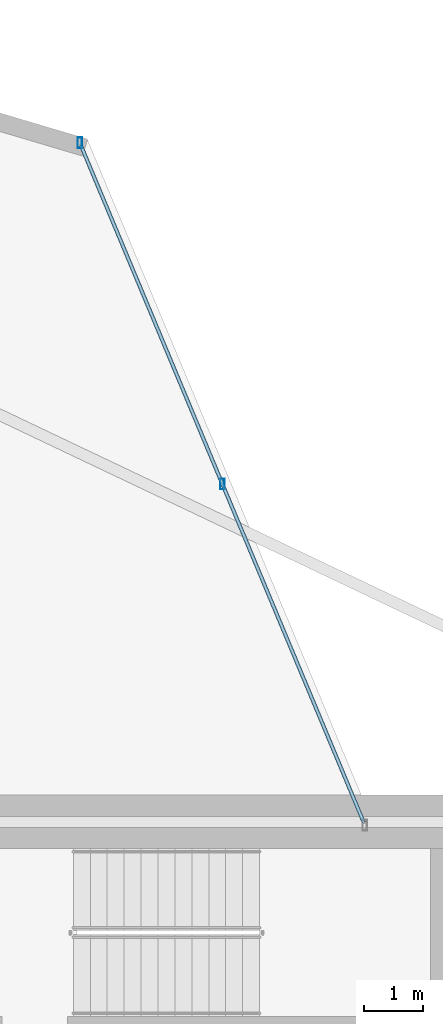
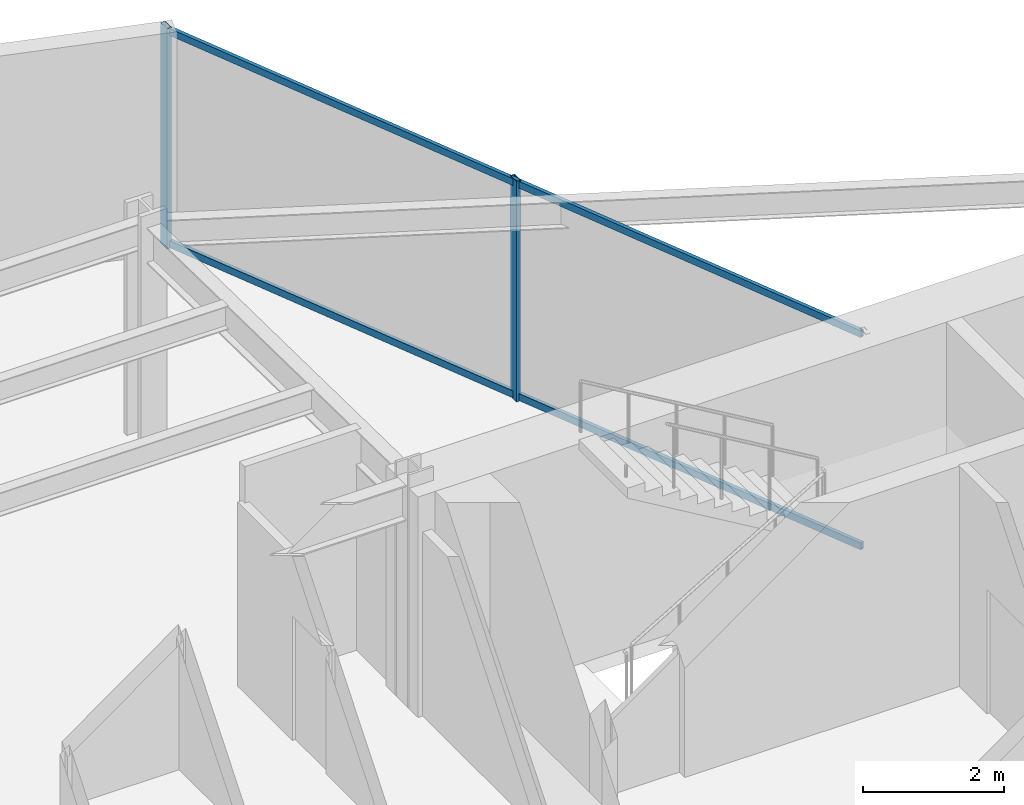
# One storey, part 18 of 24: 4 members, 1 element without a shape of its own.
"""IFC4 building model written with IfcOpenShell, lengths in metres."""

from ifc_helpers import new_model, si_unit, direction, frame, origin, origin_2d, place, context, subcontext, project, spatial, hollow_rectangle, extrude, material, layer, layer_set, material_profile, profile_set, type_object, element, aggregate, save


model = new_model("IFC4")

# Units and contexts
model_context = context("Model", 3, precision=1e-05, world=origin(), true_north=direction((0.0, 1.0)))
body_context = subcontext(model_context, "Body", "Model", "MODEL_VIEW")
ifc_project = project(units=[si_unit("LENGTHUNIT", "METRE"), si_unit("AREAUNIT", "SQUARE_METRE"), si_unit("VOLUMEUNIT", "CUBIC_METRE"), si_unit("PLANEANGLEUNIT", "RADIAN"), si_unit("MASSUNIT", "GRAM", prefix="KILO")], contexts=[model_context])

# Site, building, storey
site_placement = place(None, origin())
site = spatial("IfcSite", under=ifc_project, at=site_placement, CompositionType="ELEMENT")
building_placement = place(site_placement, origin())
building = spatial("IfcBuilding", under=site, at=building_placement, Name="Veymaron Broadcast Tower", CompositionType="ELEMENT")
storey_placement = place(building_placement, frame((0.0, 0.0, 78.300048828125)))
storey = spatial("IfcBuildingStorey", under=building, at=storey_placement, Name="L17", CompositionType="ELEMENT", Elevation=78.300048828125)

# Curtain wall, members
ifc_material_1 = material(Name="Anodised aluminium AA 6063-T6 and laminated low-E dark glass", Category="aluminium")
ifc_layer = layer(ifc_material_1, 0.179931640625)
ifc_layer_set = layer_set([ifc_layer], Name="Anodised aluminium AA 6063-T6 and laminated low-E dark glass")
curtain_wall_type = type_object("IfcCurtainWallType", Name="CW-SYS-02", PredefinedType="NOTDEFINED", material=ifc_layer_set)
curtain_wall_placement = place(storey_placement, origin())
curtain_wall = element("IfcCurtainWall", 1, at=curtain_wall_placement, inside=storey, type_object=curtain_wall_type, Name="L17 dark-glass curtain wall CW-L17-E5-1", PredefinedType="NOTDEFINED")
ifc_material_2 = material(Name="Anodised aluminium AA 6063-T6", Category="aluminium")
ifc_material_profile_1 = material_profile(ifc_material_2, hollow_rectangle(XDim=0.074951171875, YDim=0.179931640625, WallThickness=0.0048828125, at=origin_2d()), Name="AL180X75X5")
ifc_profile_set_1 = profile_set([ifc_material_profile_1], Name="Anodised aluminium AA 6063-T6")
member_type_1 = type_object("IfcMemberType", Name="CW-MUL-02", PredefinedType="MULLION", material=ifc_profile_set_1)
member_1_placement = place(storey_placement, frame((43.937744140625, 37.68798828125, 0.0), z_axis=(0.0, 0.0, 1.0), x_axis=(1.0, 0.0, 0.0)))
member_1 = element("IfcMember", 2, at=member_1_placement, type_object=member_type_1, Name="CW-L17-E5-1 mullion 1", PredefinedType="MULLION", context=body_context, shape_type="SweptSolid", body=[
    extrude(hollow_rectangle(XDim=0.074951171875, YDim=0.179931640625, WallThickness=0.0048828125, at=origin_2d()), origin(), (0.0, 0.0, 1.0), 3.81005859375),
])
member_2_placement = place(storey_placement, frame((41.538818359375, 43.429931640625, 0.0), z_axis=(0.0, 0.0, 1.0), x_axis=(1.0, 0.0, 0.0)))
member_2 = element("IfcMember", 3, at=member_2_placement, type_object=member_type_1, Name="CW-L17-E5-1 mullion 2", PredefinedType="MULLION", context=body_context, shape_type="SweptSolid", body=[
    extrude(hollow_rectangle(XDim=0.074951171875, YDim=0.179931640625, WallThickness=0.0048828125, at=origin_2d()), origin(), (0.0, 0.0, 1.0), 3.81005859375),
])
ifc_material_profile_2 = material_profile(ifc_material_2, hollow_rectangle(XDim=0.06005859375, YDim=0.1201171875, WallThickness=0.00390625, at=origin_2d()), Name="AL120X60X4")
ifc_profile_set_2 = profile_set([ifc_material_profile_2], Name="Anodised aluminium AA 6063-T6")
member_type_2 = type_object("IfcMemberType", Name="CW-TRN-02", PredefinedType="USERDEFINED", material=ifc_profile_set_2)
member_3_placement = place(storey_placement, frame((46.3173828125, 31.9921875, 0.070068359375), z_axis=(-0.385497017548, 0.922709081706, 0.0), x_axis=(-0.922709081706, -0.385497017548, 0.0)))
member_3 = element("IfcMember", 4, at=member_3_placement, type_object=member_type_2, Name="CW-L17-E5-1 transom B", ObjectType="TRANSOM", PredefinedType="USERDEFINED", context=body_context, shape_type="SweptSolid", body=[
    extrude(hollow_rectangle(XDim=0.06005859375, YDim=0.1201171875, WallThickness=0.00390625, at=origin_2d()), origin(), (0.0, 0.0, 1.0), 12.345703125),
])
member_4_placement = place(storey_placement, frame((46.3173828125, 31.9921875, 3.739990234375), z_axis=(-0.385497017548, 0.922709081706, 0.0), x_axis=(-0.922709081706, -0.385497017548, 0.0)))
member_4 = element("IfcMember", 5, at=member_4_placement, type_object=member_type_2, Name="CW-L17-E5-1 transom T", ObjectType="TRANSOM", PredefinedType="USERDEFINED", context=body_context, shape_type="SweptSolid", body=[
    extrude(hollow_rectangle(XDim=0.06005859375, YDim=0.1201171875, WallThickness=0.00390625, at=origin_2d()), origin(), (0.0, 0.0, 1.0), 12.345703125),
])
aggregate(curtain_wall, [member_1, member_2, member_3, member_4])

save(model, "model.ifc")
